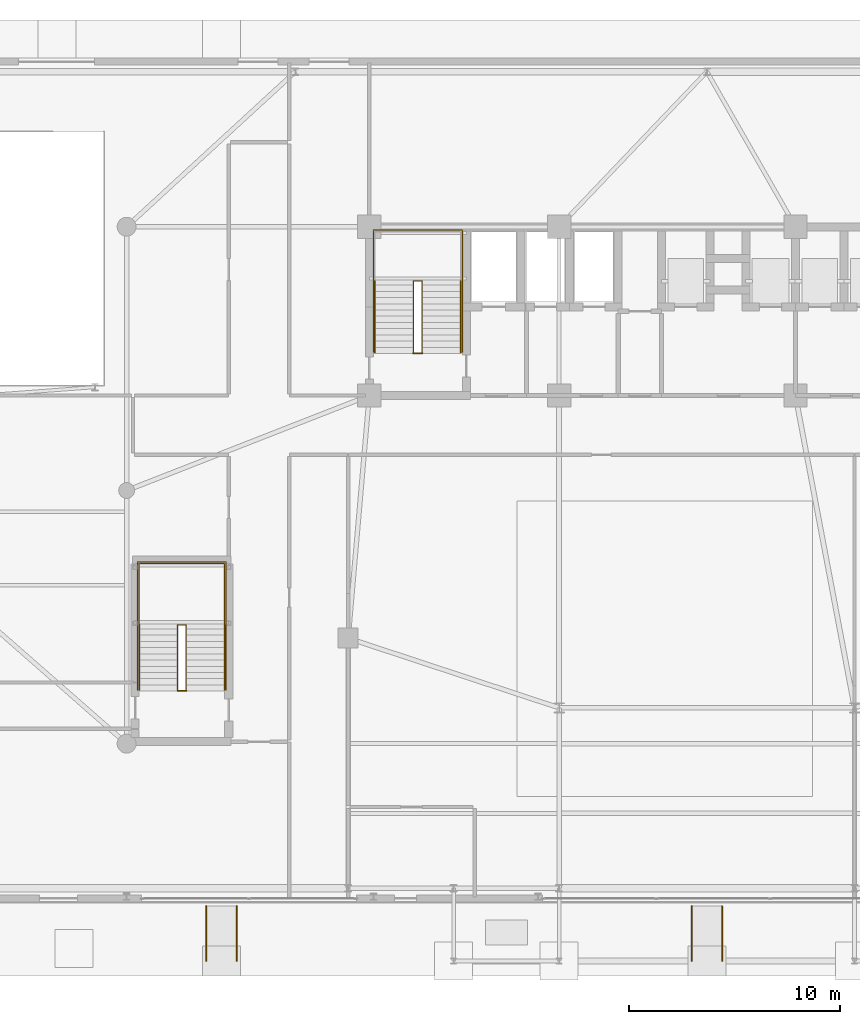
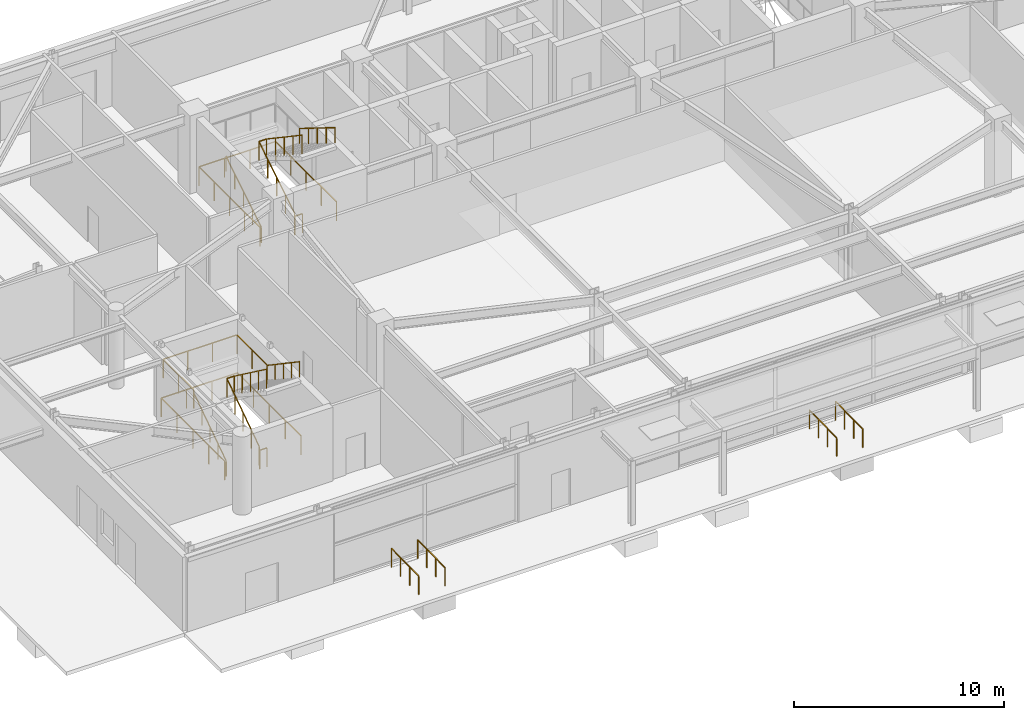
# One storey, part 25 of 29: 15 railings.
"""IFC4 building model written with IfcOpenShell, lengths in metres."""

from ifc_helpers import new_model, si_unit, direction, frame, origin, origin_2d, place, context, subcontext, project, spatial, rectangle, extrude, material, layer, layer_set, type_object, element, save


model = new_model("IFC4")

# Units and contexts
model_context = context("Model", 3, precision=1e-05, world=origin(), true_north=direction((0.0, 1.0)))
body_context = subcontext(model_context, "Body", "Model", "MODEL_VIEW")
ifc_project = project(units=[si_unit("LENGTHUNIT", "METRE"), si_unit("AREAUNIT", "SQUARE_METRE"), si_unit("VOLUMEUNIT", "CUBIC_METRE"), si_unit("PLANEANGLEUNIT", "RADIAN"), si_unit("MASSUNIT", "GRAM", prefix="KILO")], contexts=[model_context])

# Site, building, storey
site_placement = place(None, origin())
site = spatial("IfcSite", under=ifc_project, at=site_placement, CompositionType="ELEMENT")
building_placement = place(site_placement, origin())
building = spatial("IfcBuilding", under=site, at=building_placement, Name="Taldren Reach Tower", CompositionType="ELEMENT")
storey_placement = place(building_placement, origin())
storey = spatial("IfcBuildingStorey", under=building, at=storey_placement, Name="L00", CompositionType="ELEMENT", Elevation=0.0)

# Railings
ifc_material_1 = material(Name="Steel Gr 350 (C350L0)", Category="steel")
ifc_layer_1 = layer(ifc_material_1, 0.050048828125)
ifc_layer_set_1 = layer_set([ifc_layer_1], Name="Steel Gr 350 (C350L0)")
railing_type_1 = type_object("IfcRailingType", Name="RL-STAIR-GR", PredefinedType="GUARDRAIL", material=ifc_layer_set_1)
railing_1_placement = place(storey_placement, frame((21.090087890625, 26.050048828125, 0.175048828125)))
element("IfcRailing", 1, at=railing_1_placement, inside=storey, type_object=railing_type_1, Name="Stairwell inner guard ST1-L00", PredefinedType="GUARDRAIL", context=body_context, shape_type="SweptSolid", body=[
    extrude(rectangle(XDim=0.047852, YDim=0.047852, at=origin_2d()), frame((0.0, 0.0, 1.09619140625), z_axis=(0.0, 0.849415414752, 0.527724789243), x_axis=(-1.0, 0.0, 0.0)), (0.0, 0.0, 1.0), 3.97900390625),
    extrude(rectangle(XDim=0.047852, YDim=0.047852, at=origin_2d()), frame((0.0, 3.3798828125, 3.19580078125), z_axis=(1.0, 0.0, 0.0), x_axis=(0.0, 1.0, 0.0)), (0.0, 0.0, 1.0), 0.419921875),
    extrude(rectangle(XDim=0.047852, YDim=0.047852, at=origin_2d()), frame((0.419921875, 3.3798828125, 3.19580078125), z_axis=(0.0, -0.829562124655, 0.558414435109), x_axis=(1.0, 0.0, 0.0)), (0.0, 0.0, 1.0), 4.07421875),
    extrude(rectangle(XDim=0.041992, YDim=0.041992, at=origin_2d()), origin(), (0.0, 0.0, 1.0), 1.072021484375),
    extrude(rectangle(XDim=0.041992, YDim=0.041992, at=origin_2d()), frame((0.0, 0.844970703125, 0.52490234375)), (0.0, 0.0, 1.0), 1.072021484375),
    extrude(rectangle(XDim=0.041992, YDim=0.041992, at=origin_2d()), frame((0.0, 1.68994140625, 1.0498046875)), (0.0, 0.0, 1.0), 1.072021484375),
    extrude(rectangle(XDim=0.041992, YDim=0.041992, at=origin_2d()), frame((0.0, 2.534912109375, 1.574951171875)), (0.0, 0.0, 1.0), 1.072021484375),
    extrude(rectangle(XDim=0.041992, YDim=0.041992, at=origin_2d()), frame((0.0, 3.3798828125, 2.099853515625)), (0.0, 0.0, 1.0), 1.072021484375),
    extrude(rectangle(XDim=0.041992, YDim=0.041992, at=origin_2d()), frame((0.419921875, 3.3798828125, 2.099853515625)), (0.0, 0.0, 1.0), 1.072021484375),
    extrude(rectangle(XDim=0.041992, YDim=0.041992, at=origin_2d()), frame((0.419921875, 2.534912109375, 2.668701171875)), (0.0, 0.0, 1.0), 1.072021484375),
    extrude(rectangle(XDim=0.041992, YDim=0.041992, at=origin_2d()), frame((0.419921875, 1.68994140625, 3.2373046875)), (0.0, 0.0, 1.0), 1.072021484375),
    extrude(rectangle(XDim=0.041992, YDim=0.041992, at=origin_2d()), frame((0.419921875, 0.844970703125, 3.80615234375)), (0.0, 0.0, 1.0), 1.072021484375),
    extrude(rectangle(XDim=0.041992, YDim=0.041992, at=origin_2d()), frame((0.419921875, 0.0, 4.375)), (0.0, 0.0, 1.0), 1.072021484375),
])
railing_2_placement = place(storey_placement, frame((21.090087890625, 26.010009765625, 0.0)))
element("IfcRailing", 2, at=railing_2_placement, inside=storey, type_object=railing_type_1, Name="Stairwell landing slot guard ST1-L00", PredefinedType="GUARDRAIL", context=body_context, shape_type="SweptSolid", body=[
    extrude(rectangle(XDim=0.047852, YDim=0.047852, at=origin_2d()), frame((0.0, 0.0, 1.09619140625), z_axis=(1.0, 0.0, 0.0), x_axis=(0.0, 1.0, 0.0)), (0.0, 0.0, 1.0), 0.419921875),
    extrude(rectangle(XDim=0.041992, YDim=0.041992, at=origin_2d()), origin(), (0.0, 0.0, 1.0), 1.072021484375),
    extrude(rectangle(XDim=0.041992, YDim=0.041992, at=origin_2d()), frame((0.419921875, 0.0, 0.0)), (0.0, 0.0, 1.0), 1.072021484375),
])
railing_3_placement = place(storey_placement, frame((19.18994140625, 26.050048828125, 0.0)))
element("IfcRailing", 3, at=railing_3_placement, inside=storey, type_object=railing_type_1, Name="Stairwell floor opening guard ST1-L00", PredefinedType="GUARDRAIL", context=body_context, shape_type="SweptSolid", body=[
    extrude(rectangle(XDim=0.047852, YDim=0.047852, at=origin_2d()), frame((0.0, 0.0, 1.09619140625), z_axis=(0.0, 1.0, 0.0), x_axis=(-1.0, 0.0, 0.0)), (0.0, 0.0, 1.0), 5.800048828125),
    extrude(rectangle(XDim=0.047852, YDim=0.047852, at=origin_2d()), frame((0.0, 5.800048828125, 1.09619140625), z_axis=(1.0, 0.0, 0.0), x_axis=(0.0, 1.0, 0.0)), (0.0, 0.0, 1.0), 4.219970703125),
    extrude(rectangle(XDim=0.047852, YDim=0.047852, at=origin_2d()), frame((4.219970703125, 5.800048828125, 1.09619140625), z_axis=(0.0, -1.0, 0.0), x_axis=(1.0, 0.0, 0.0)), (0.0, 0.0, 1.0), 5.800048828125),
    extrude(rectangle(XDim=0.041992, YDim=0.041992, at=origin_2d()), origin(), (0.0, 0.0, 1.0), 1.072021484375),
    extrude(rectangle(XDim=0.041992, YDim=0.041992, at=origin_2d()), frame((0.0, 1.449951171875, 0.0)), (0.0, 0.0, 1.0), 1.072021484375),
    extrude(rectangle(XDim=0.041992, YDim=0.041992, at=origin_2d()), frame((0.0, 2.89990234375, 0.0)), (0.0, 0.0, 1.0), 1.072021484375),
    extrude(rectangle(XDim=0.041992, YDim=0.041992, at=origin_2d()), frame((0.0, 4.35009765625, 0.0)), (0.0, 0.0, 1.0), 1.072021484375),
    extrude(rectangle(XDim=0.041992, YDim=0.041992, at=origin_2d()), frame((0.0, 5.800048828125, 0.0)), (0.0, 0.0, 1.0), 1.072021484375),
    extrude(rectangle(XDim=0.041992, YDim=0.041992, at=origin_2d()), frame((1.40673828125, 5.800048828125, 0.0)), (0.0, 0.0, 1.0), 1.072021484375),
    extrude(rectangle(XDim=0.041992, YDim=0.041992, at=origin_2d()), frame((2.813232421875, 5.800048828125, 0.0)), (0.0, 0.0, 1.0), 1.072021484375),
    extrude(rectangle(XDim=0.041992, YDim=0.041992, at=origin_2d()), frame((4.219970703125, 5.800048828125, 0.0)), (0.0, 0.0, 1.0), 1.072021484375),
    extrude(rectangle(XDim=0.041992, YDim=0.041992, at=origin_2d()), frame((4.219970703125, 4.35009765625, 0.0)), (0.0, 0.0, 1.0), 1.072021484375),
    extrude(rectangle(XDim=0.041992, YDim=0.041992, at=origin_2d()), frame((4.219970703125, 2.89990234375, 0.0)), (0.0, 0.0, 1.0), 1.072021484375),
    extrude(rectangle(XDim=0.041992, YDim=0.041992, at=origin_2d()), frame((4.219970703125, 1.449951171875, 0.0)), (0.0, 0.0, 1.0), 1.072021484375),
    extrude(rectangle(XDim=0.041992, YDim=0.041992, at=origin_2d()), frame((4.219970703125, 0.0, 0.0)), (0.0, 0.0, 1.0), 1.072021484375),
])
railing_4_placement = place(storey_placement, frame((8.090087890625, 13.135009765625, 2.27490234375)))
element("IfcRailing", 4, at=railing_4_placement, inside=storey, type_object=railing_type_1, Name="Stair half-landing perimeter guard ST3-L00", PredefinedType="GUARDRAIL", context=body_context, shape_type="SweptSolid", body=[
    extrude(rectangle(XDim=0.047852, YDim=0.047852, at=origin_2d()), frame((0.0, 0.0, 1.09619140625), z_axis=(0.0, 1.0, 0.0), x_axis=(-1.0, 0.0, 0.0)), (0.0, 0.0, 1.0), 2.905029296875),
    extrude(rectangle(XDim=0.047852, YDim=0.047852, at=origin_2d()), frame((0.0, 2.905029296875, 1.09619140625), z_axis=(1.0, 0.0, 0.0), x_axis=(0.0, 1.0, 0.0)), (0.0, 0.0, 1.0), 4.059814453125),
    extrude(rectangle(XDim=0.047852, YDim=0.047852, at=origin_2d()), frame((4.059814453125, 2.905029296875, 1.09619140625), z_axis=(0.0, -1.0, 0.0), x_axis=(1.0, 0.0, 0.0)), (0.0, 0.0, 1.0), 2.905029296875),
    extrude(rectangle(XDim=0.041992, YDim=0.041992, at=origin_2d()), origin(), (0.0, 0.0, 1.0), 1.072021484375),
    extrude(rectangle(XDim=0.041992, YDim=0.041992, at=origin_2d()), frame((0.0, 1.45263671875, 0.0)), (0.0, 0.0, 1.0), 1.072021484375),
    extrude(rectangle(XDim=0.041992, YDim=0.041992, at=origin_2d()), frame((0.0, 2.905029296875, 0.0)), (0.0, 0.0, 1.0), 1.072021484375),
    extrude(rectangle(XDim=0.041992, YDim=0.041992, at=origin_2d()), frame((1.353271484375, 2.905029296875, 0.0)), (0.0, 0.0, 1.0), 1.072021484375),
    extrude(rectangle(XDim=0.041992, YDim=0.041992, at=origin_2d()), frame((2.70654296875, 2.905029296875, 0.0)), (0.0, 0.0, 1.0), 1.072021484375),
    extrude(rectangle(XDim=0.041992, YDim=0.041992, at=origin_2d()), frame((4.059814453125, 2.905029296875, 0.0)), (0.0, 0.0, 1.0), 1.072021484375),
    extrude(rectangle(XDim=0.041992, YDim=0.041992, at=origin_2d()), frame((4.059814453125, 1.45263671875, 0.0)), (0.0, 0.0, 1.0), 1.072021484375),
    extrude(rectangle(XDim=0.041992, YDim=0.041992, at=origin_2d()), frame((4.059814453125, 0.0, 0.0)), (0.0, 0.0, 1.0), 1.072021484375),
])
railing_5_placement = place(storey_placement, frame((9.919921875, 10.050048828125, 0.189697265625)))
element("IfcRailing", 5, at=railing_5_placement, inside=storey, type_object=railing_type_1, Name="Stairwell inner guard ST3-L00", PredefinedType="GUARDRAIL", context=body_context, shape_type="SweptSolid", body=[
    extrude(rectangle(XDim=0.047852, YDim=0.047852, at=origin_2d()), frame((0.0, 0.0, 1.09619140625), z_axis=(0.0, 0.82849277756, 0.559999747795), x_axis=(-1.0, 0.0, 0.0)), (0.0, 0.0, 1.0), 3.7236328125),
    extrude(rectangle(XDim=0.047852, YDim=0.047852, at=origin_2d()), frame((0.0, 3.0849609375, 3.18115234375), z_axis=(1.0, 0.0, 0.0), x_axis=(0.0, 1.0, 0.0)), (0.0, 0.0, 1.0), 0.400146484375),
    extrude(rectangle(XDim=0.047852, YDim=0.047852, at=origin_2d()), frame((0.400146484375, 3.0849609375, 3.18115234375), z_axis=(0.0, -0.804804429941, 0.593540082512), x_axis=(1.0, 0.0, 0.0)), (0.0, 0.0, 1.0), 3.833251953125),
    extrude(rectangle(XDim=0.041992, YDim=0.041992, at=origin_2d()), origin(), (0.0, 0.0, 1.0), 1.072021484375),
    extrude(rectangle(XDim=0.041992, YDim=0.041992, at=origin_2d()), frame((0.0, 0.771240234375, 0.521240234375)), (0.0, 0.0, 1.0), 1.072021484375),
    extrude(rectangle(XDim=0.041992, YDim=0.041992, at=origin_2d()), frame((0.0, 1.54248046875, 1.04248046875)), (0.0, 0.0, 1.0), 1.072021484375),
    extrude(rectangle(XDim=0.041992, YDim=0.041992, at=origin_2d()), frame((0.0, 2.313720703125, 1.56396484375)), (0.0, 0.0, 1.0), 1.072021484375),
    extrude(rectangle(XDim=0.041992, YDim=0.041992, at=origin_2d()), frame((0.0, 3.0849609375, 2.085205078125)), (0.0, 0.0, 1.0), 1.072021484375),
    extrude(rectangle(XDim=0.041992, YDim=0.041992, at=origin_2d()), frame((0.400146484375, 3.0849609375, 2.085205078125)), (0.0, 0.0, 1.0), 1.072021484375),
    extrude(rectangle(XDim=0.041992, YDim=0.041992, at=origin_2d()), frame((0.400146484375, 2.313720703125, 2.654052734375)), (0.0, 0.0, 1.0), 1.072021484375),
    extrude(rectangle(XDim=0.041992, YDim=0.041992, at=origin_2d()), frame((0.400146484375, 1.54248046875, 3.22265625)), (0.0, 0.0, 1.0), 1.072021484375),
    extrude(rectangle(XDim=0.041992, YDim=0.041992, at=origin_2d()), frame((0.400146484375, 0.771240234375, 3.79150390625)), (0.0, 0.0, 1.0), 1.072021484375),
    extrude(rectangle(XDim=0.041992, YDim=0.041992, at=origin_2d()), frame((0.400146484375, 0.0, 4.3603515625)), (0.0, 0.0, 1.0), 1.072021484375),
])
railing_6_placement = place(storey_placement, frame((9.919921875, 10.010009765625, 0.0)))
element("IfcRailing", 6, at=railing_6_placement, inside=storey, type_object=railing_type_1, Name="Stairwell landing slot guard ST3-L00", PredefinedType="GUARDRAIL", context=body_context, shape_type="SweptSolid", body=[
    extrude(rectangle(XDim=0.047852, YDim=0.047852, at=origin_2d()), frame((0.0, 0.0, 1.09619140625), z_axis=(1.0, 0.0, 0.0), x_axis=(0.0, 1.0, 0.0)), (0.0, 0.0, 1.0), 0.400146484375),
    extrude(rectangle(XDim=0.041992, YDim=0.041992, at=origin_2d()), origin(), (0.0, 0.0, 1.0), 1.072021484375),
    extrude(rectangle(XDim=0.041992, YDim=0.041992, at=origin_2d()), frame((0.400146484375, 0.0, 0.0)), (0.0, 0.0, 1.0), 1.072021484375),
])
railing_7_placement = place(storey_placement, frame((8.02001953125, 10.050048828125, 0.0)))
element("IfcRailing", 7, at=railing_7_placement, inside=storey, type_object=railing_type_1, Name="Stairwell floor opening guard ST3-L00", PredefinedType="GUARDRAIL", context=body_context, shape_type="SweptSolid", body=[
    extrude(rectangle(XDim=0.047852, YDim=0.047852, at=origin_2d()), frame((0.0, 0.0, 1.09619140625), z_axis=(0.0, 1.0, 0.0), x_axis=(-1.0, 0.0, 0.0)), (0.0, 0.0, 1.0), 6.06005859375),
    extrude(rectangle(XDim=0.047852, YDim=0.047852, at=origin_2d()), frame((0.0, 6.06005859375, 1.09619140625), z_axis=(1.0, 0.0, 0.0), x_axis=(0.0, 1.0, 0.0)), (0.0, 0.0, 1.0), 4.199951171875),
    extrude(rectangle(XDim=0.047852, YDim=0.047852, at=origin_2d()), frame((4.199951171875, 6.06005859375, 1.09619140625), z_axis=(0.0, -1.0, 0.0), x_axis=(1.0, 0.0, 0.0)), (0.0, 0.0, 1.0), 6.06005859375),
    extrude(rectangle(XDim=0.041992, YDim=0.041992, at=origin_2d()), origin(), (0.0, 0.0, 1.0), 1.072021484375),
    extrude(rectangle(XDim=0.041992, YDim=0.041992, at=origin_2d()), frame((0.0, 1.51513671875, 0.0)), (0.0, 0.0, 1.0), 1.072021484375),
    extrude(rectangle(XDim=0.041992, YDim=0.041992, at=origin_2d()), frame((0.0, 3.030029296875, 0.0)), (0.0, 0.0, 1.0), 1.072021484375),
    extrude(rectangle(XDim=0.041992, YDim=0.041992, at=origin_2d()), frame((0.0, 4.544921875, 0.0)), (0.0, 0.0, 1.0), 1.072021484375),
    extrude(rectangle(XDim=0.041992, YDim=0.041992, at=origin_2d()), frame((0.0, 6.06005859375, 0.0)), (0.0, 0.0, 1.0), 1.072021484375),
    extrude(rectangle(XDim=0.041992, YDim=0.041992, at=origin_2d()), frame((1.39990234375, 6.06005859375, 0.0)), (0.0, 0.0, 1.0), 1.072021484375),
    extrude(rectangle(XDim=0.041992, YDim=0.041992, at=origin_2d()), frame((2.800048828125, 6.06005859375, 0.0)), (0.0, 0.0, 1.0), 1.072021484375),
    extrude(rectangle(XDim=0.041992, YDim=0.041992, at=origin_2d()), frame((4.199951171875, 6.06005859375, 0.0)), (0.0, 0.0, 1.0), 1.072021484375),
    extrude(rectangle(XDim=0.041992, YDim=0.041992, at=origin_2d()), frame((4.199951171875, 4.544921875, 0.0)), (0.0, 0.0, 1.0), 1.072021484375),
    extrude(rectangle(XDim=0.041992, YDim=0.041992, at=origin_2d()), frame((4.199951171875, 3.030029296875, 0.0)), (0.0, 0.0, 1.0), 1.072021484375),
    extrude(rectangle(XDim=0.041992, YDim=0.041992, at=origin_2d()), frame((4.199951171875, 1.51513671875, 0.0)), (0.0, 0.0, 1.0), 1.072021484375),
    extrude(rectangle(XDim=0.041992, YDim=0.041992, at=origin_2d()), frame((4.199951171875, 0.0, 0.0)), (0.0, 0.0, 1.0), 1.072021484375),
])
for number, where, name in (
    (8, (11.280029296875, -2.800048828125, -0.0400390625), "Accessible ramp guard handrail S1-L"),
    (9, (12.719970703125, -2.800048828125, -0.0400390625), "Accessible ramp guard handrail S1-R"),
    (10, (34.280029296875, -2.800048828125, -0.0400390625), "Accessible ramp guard handrail S2-L"),
    (11, (35.719970703125, -2.800048828125, -0.0400390625), "Accessible ramp guard handrail S2-R"),
):
    element("IfcRailing", number, at=place(storey_placement, frame(where)), inside=storey, type_object=railing_type_1, Name=name, PredefinedType="GUARDRAIL", context=body_context, shape_type="SweptSolid", body=[
        extrude(rectangle(XDim=0.047852, YDim=0.047852, at=origin_2d()), frame((0.0, 0.0, 1.09619140625), z_axis=(0.0, 0.999881455542, 0.01539723556), x_axis=(-1.0, 0.0, 0.0)), (0.0, 0.0, 1.0), 2.600341796875),
        extrude(rectangle(XDim=0.041992, YDim=0.041992, at=origin_2d()), origin(), (0.0, 0.0, 1.0), 1.072021484375),
        extrude(rectangle(XDim=0.041992, YDim=0.041992, at=origin_2d()), frame((0.0, 0.86669921875, 0.013427734375)), (0.0, 0.0, 1.0), 1.072021484375),
        extrude(rectangle(XDim=0.041992, YDim=0.041992, at=origin_2d()), frame((0.0, 1.7333984375, 0.026611328125)), (0.0, 0.0, 1.0), 1.072021484375),
        extrude(rectangle(XDim=0.041992, YDim=0.041992, at=origin_2d()), frame((0.0, 2.60009765625, 0.0400390625)), (0.0, 0.0, 1.0), 1.072021484375),
    ])
ifc_material_2 = material(Name="Stainless Steel Gr 316", Category="steel")
ifc_layer_2 = layer(ifc_material_2, 0.048095703125)
ifc_layer_set_2 = layer_set([ifc_layer_2], Name="Stainless Steel Gr 316")
railing_type_2 = type_object("IfcRailingType", Name="RL-STAIR-HR", PredefinedType="HANDRAIL", material=ifc_layer_set_2)
railing_8_placement = place(storey_placement, frame((19.27001953125, 26.050048828125, 0.175048828125)))
element("IfcRailing", 12, at=railing_8_placement, inside=storey, type_object=railing_type_2, Name="Stair flight handrail ST1-L00-1", PredefinedType="HANDRAIL", context=body_context, shape_type="SweptSolid", body=[
    extrude(rectangle(XDim=0.047852, YDim=0.047852, at=origin_2d()), frame((0.0, 0.0, 0.89599609375), z_axis=(0.0, 0.849415414752, 0.527724789243), x_axis=(-1.0, 0.0, 0.0)), (0.0, 0.0, 1.0), 3.97900390625),
    extrude(rectangle(XDim=0.041992, YDim=0.041992, at=origin_2d()), origin(), (0.0, 0.0, 1.0), 0.871826171875),
    extrude(rectangle(XDim=0.041992, YDim=0.041992, at=origin_2d()), frame((0.0, 0.844970703125, 0.52490234375)), (0.0, 0.0, 1.0), 0.871826171875),
    extrude(rectangle(XDim=0.041992, YDim=0.041992, at=origin_2d()), frame((0.0, 1.68994140625, 1.0498046875)), (0.0, 0.0, 1.0), 0.871826171875),
    extrude(rectangle(XDim=0.041992, YDim=0.041992, at=origin_2d()), frame((0.0, 2.534912109375, 1.574951171875)), (0.0, 0.0, 1.0), 0.871826171875),
    extrude(rectangle(XDim=0.041992, YDim=0.041992, at=origin_2d()), frame((0.0, 3.3798828125, 2.099853515625)), (0.0, 0.0, 1.0), 0.871826171875),
])
railing_9_placement = place(storey_placement, frame((23.330078125, 29.429931640625, 2.449951171875)))
element("IfcRailing", 13, at=railing_9_placement, inside=storey, type_object=railing_type_2, Name="Stair flight handrail ST1-L00-2", PredefinedType="HANDRAIL", context=body_context, shape_type="SweptSolid", body=[
    extrude(rectangle(XDim=0.047852, YDim=0.047852, at=origin_2d()), frame((0.0, 0.0, 0.89599609375), z_axis=(0.0, -0.849387911102, 0.527769056003), x_axis=(1.0, 0.0, 0.0)), (0.0, 0.0, 1.0), 3.979248046875),
    extrude(rectangle(XDim=0.041992, YDim=0.041992, at=origin_2d()), origin(), (0.0, 0.0, 1.0), 0.871826171875),
    extrude(rectangle(XDim=0.041992, YDim=0.041992, at=origin_2d()), frame((0.0, -0.844970703125, 0.52490234375)), (0.0, 0.0, 1.0), 0.871826171875),
    extrude(rectangle(XDim=0.041992, YDim=0.041992, at=origin_2d()), frame((0.0, -1.68994140625, 1.050048828125)), (0.0, 0.0, 1.0), 0.871826171875),
    extrude(rectangle(XDim=0.041992, YDim=0.041992, at=origin_2d()), frame((0.0, -2.534912109375, 1.5751953125)), (0.0, 0.0, 1.0), 0.871826171875),
    extrude(rectangle(XDim=0.041992, YDim=0.041992, at=origin_2d()), frame((0.0, -3.3798828125, 2.10009765625)), (0.0, 0.0, 1.0), 0.871826171875),
])
railing_10_placement = place(storey_placement, frame((8.10009765625, 10.050048828125, 0.189697265625)))
element("IfcRailing", 14, at=railing_10_placement, inside=storey, type_object=railing_type_2, Name="Stair flight handrail ST3-L00-1", PredefinedType="HANDRAIL", context=body_context, shape_type="SweptSolid", body=[
    extrude(rectangle(XDim=0.047852, YDim=0.047852, at=origin_2d()), frame((0.0, 0.0, 0.89599609375), z_axis=(0.0, 0.82849277756, 0.559999747795), x_axis=(-1.0, 0.0, 0.0)), (0.0, 0.0, 1.0), 3.7236328125),
    extrude(rectangle(XDim=0.041992, YDim=0.041992, at=origin_2d()), origin(), (0.0, 0.0, 1.0), 0.871826171875),
    extrude(rectangle(XDim=0.041992, YDim=0.041992, at=origin_2d()), frame((0.0, 0.771240234375, 0.521240234375)), (0.0, 0.0, 1.0), 0.871826171875),
    extrude(rectangle(XDim=0.041992, YDim=0.041992, at=origin_2d()), frame((0.0, 1.54248046875, 1.04248046875)), (0.0, 0.0, 1.0), 0.871826171875),
    extrude(rectangle(XDim=0.041992, YDim=0.041992, at=origin_2d()), frame((0.0, 2.313720703125, 1.56396484375)), (0.0, 0.0, 1.0), 0.871826171875),
    extrude(rectangle(XDim=0.041992, YDim=0.041992, at=origin_2d()), frame((0.0, 3.0849609375, 2.085205078125)), (0.0, 0.0, 1.0), 0.871826171875),
])
railing_11_placement = place(storey_placement, frame((12.139892578125, 13.135009765625, 2.464599609375)))
element("IfcRailing", 15, at=railing_11_placement, inside=storey, type_object=railing_type_2, Name="Stair flight handrail ST3-L00-2", PredefinedType="HANDRAIL", context=body_context, shape_type="SweptSolid", body=[
    extrude(rectangle(XDim=0.047852, YDim=0.047852, at=origin_2d()), frame((0.0, 0.0, 0.89599609375), z_axis=(0.0, -0.828462357703, 0.560044749881), x_axis=(1.0, 0.0, 0.0)), (0.0, 0.0, 1.0), 3.7236328125),
    extrude(rectangle(XDim=0.041992, YDim=0.041992, at=origin_2d()), origin(), (0.0, 0.0, 1.0), 0.871826171875),
    extrude(rectangle(XDim=0.041992, YDim=0.041992, at=origin_2d()), frame((0.0, -0.771240234375, 0.521484375)), (0.0, 0.0, 1.0), 0.871826171875),
    extrude(rectangle(XDim=0.041992, YDim=0.041992, at=origin_2d()), frame((0.0, -1.54248046875, 1.042724609375)), (0.0, 0.0, 1.0), 0.871826171875),
    extrude(rectangle(XDim=0.041992, YDim=0.041992, at=origin_2d()), frame((0.0, -2.313720703125, 1.56396484375)), (0.0, 0.0, 1.0), 0.871826171875),
    extrude(rectangle(XDim=0.041992, YDim=0.041992, at=origin_2d()), frame((0.0, -3.0849609375, 2.08544921875)), (0.0, 0.0, 1.0), 0.871826171875),
])

save(model, "model.ifc")
